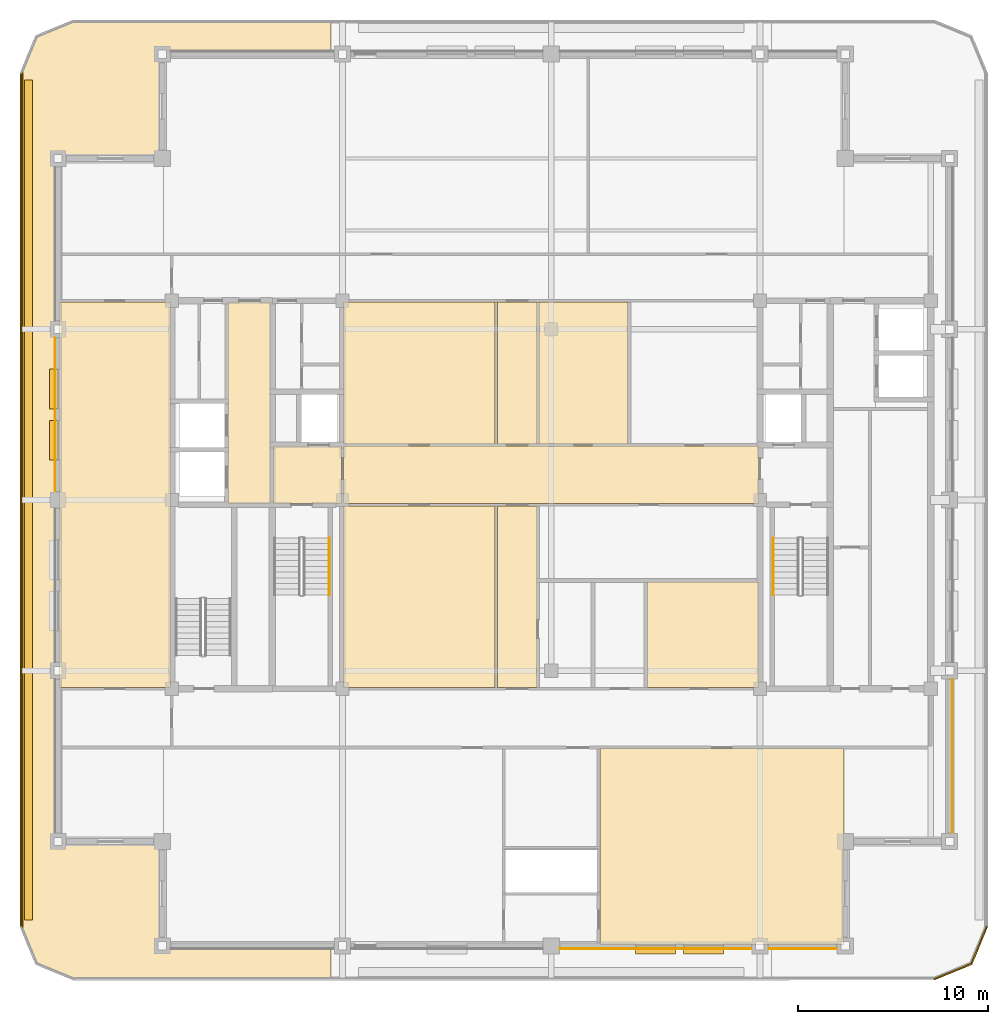
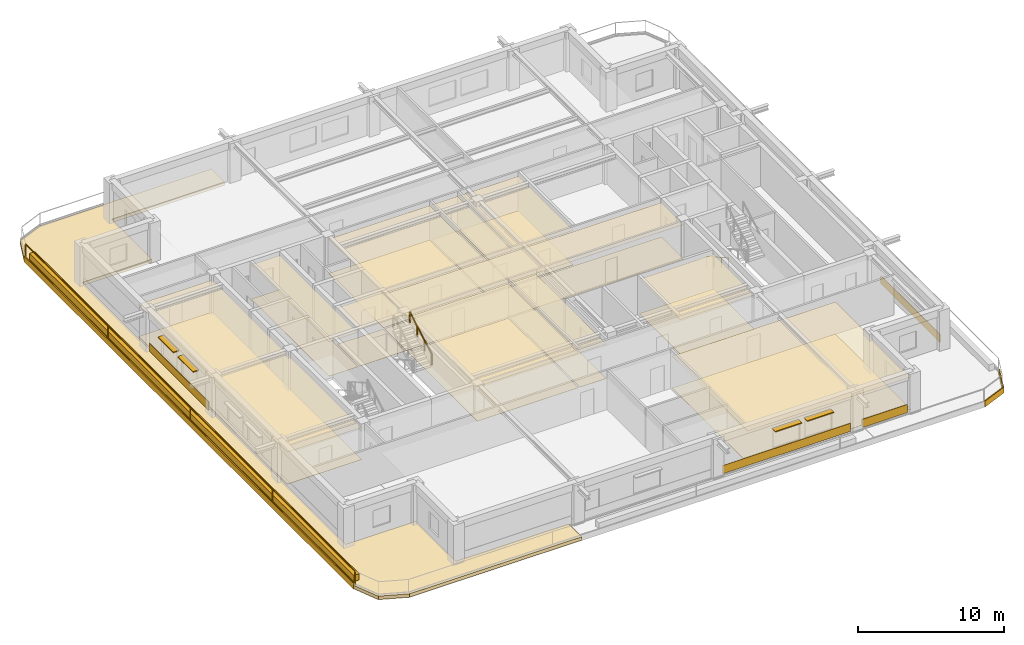
# One storey, part 9 of 11: 31 coverings, 4 shading devices, 3 railings.
"""IFC4 building model written with IfcOpenShell, lengths in metres."""

from ifc_helpers import new_model, si_unit, direction, frame, frame_2d, origin, origin_2d, place, context, subcontext, project, spatial, polyline, rectangle, outline, extrude, material, layer, layer_set, type_object, element, save


model = new_model("IFC4")

# Units and contexts
model_context = context("Model", 3, precision=1e-05, world=origin(), true_north=direction((0.0, 1.0)))
body_context = subcontext(model_context, "Body", "Model", "MODEL_VIEW")
ifc_project = project(units=[si_unit("LENGTHUNIT", "METRE"), si_unit("AREAUNIT", "SQUARE_METRE"), si_unit("VOLUMEUNIT", "CUBIC_METRE"), si_unit("PLANEANGLEUNIT", "RADIAN"), si_unit("MASSUNIT", "GRAM", prefix="KILO")], contexts=[model_context])

# Site, building, storey
site_placement = place(None, origin())
site = spatial("IfcSite", under=ifc_project, at=site_placement, CompositionType="ELEMENT")
building_placement = place(site_placement, origin())
building = spatial("IfcBuilding", under=site, at=building_placement, Name="Zulmaris Gate Convention Tower", CompositionType="ELEMENT")
storey_placement = place(building_placement, frame((0.0, 0.0, 274.320068359375)))
storey = spatial("IfcBuildingStorey", under=building, at=storey_placement, Name="L73", CompositionType="ELEMENT", Elevation=274.320068359375)

# Coverings
ifc_material_1 = material(Name="Precast concrete C40/50", Category="concrete")
ifc_layer_1 = layer(ifc_material_1, 0.0400390625, Name="Precast concrete C40/50")
ifc_layer_set_1 = layer_set([ifc_layer_1], Name="Precast concrete C40/50")
covering_type_1 = type_object("IfcCoveringType", Name="CLAD-SPANDREL-PRECAST", PredefinedType="CLADDING", material=ifc_layer_set_1)
covering_1_placement = place(storey_placement, frame((0.455078125, -23.64990234375, 0.0), z_axis=(0.0, 0.0, 1.0), x_axis=(1.0, 0.0, 0.0)))
element("IfcCovering", 1, at=covering_1_placement, inside=storey, type_object=covering_type_1, Name="CLD-L73-S-2_0", PredefinedType="CLADDING", context=body_context, shape_type="SweptSolid", body=[
    extrude(rectangle(XDim=10.08984375, YDim=0.0400390625, at=frame_2d((5.044921875, 0.0))), origin(), (0.0, 0.0, 1.0), 0.679931640625),
])
covering_2_placement = place(storey_placement, frame((11.455078125, -23.64990234375, 0.0), z_axis=(0.0, 0.0, 1.0), x_axis=(1.0, 0.0, 0.0)))
element("IfcCovering", 2, at=covering_2_placement, inside=storey, type_object=covering_type_1, Name="CLD-L73-S-3_0", PredefinedType="CLADDING", context=body_context, shape_type="SweptSolid", body=[
    extrude(rectangle(XDim=3.58984375, YDim=0.0400390625, at=frame_2d((1.794921875, 0.0))), origin(), (0.0, 0.0, 1.0), 0.679931640625),
])
for number, where, z_axis, x_axis, name in (
    (3, (21.14990234375, -17.544921875, 0.0), (0.0, 0.0, 1.0), (0.0, 1.0, 0.0), "CLD-L73-E-0_0"),
    (4, (-26.14990234375, 8.544921875, 0.0), (0.0, 0.0, 1.0), (0.0, -1.0, 0.0), "CLD-L73-W-2_0"),
):
    element("IfcCovering", number, at=place(storey_placement, frame(where, z_axis=z_axis, x_axis=x_axis)), inside=storey, type_object=covering_type_1, Name=name, PredefinedType="CLADDING", context=body_context, shape_type="SweptSolid", body=[
        extrude(rectangle(XDim=8.08984375, YDim=0.0400390625, at=frame_2d((4.044921875, 0.0))), origin(), (0.0, 0.0, 1.0), 0.679931640625),
    ])
ifc_material_2 = material(Name="White Glazed Architectural Precast Concrete C40/50", Category="concrete")
ifc_layer_2 = layer(ifc_material_2, 0.239990234375, Name="White Glazed Architectural Precast Concrete C40/50")
ifc_layer_set_2 = layer_set([ifc_layer_2], Name="White Glazed Architectural Precast Concrete C40/50")
covering_type_2 = type_object("IfcCoveringType", Name="CLAD-TRAY-DECK", PredefinedType="CLADDING", material=ifc_layer_set_2)
covering_3_placement = place(storey_placement, frame((0.0, 0.0, -0.324951171875)))
element("IfcCovering", 5, at=covering_3_placement, inside=storey, type_object=covering_type_2, Name="L73 West Rounded-Fascia Planter Tray Deck", PredefinedType="CLADDING", context=body_context, shape_type="SweptSolid", body=[
    extrude(outline(polyline([(-28.0, 22.5), (-27.179931640625, 24.47998046875), (-25.199951171875, 25.300048828125), (-11.60205078125, 25.300048828125), (-11.60205078125, 23.5), (-20.5, 23.5), (-20.5, 18.0), (-26.0, 18.0), (-26.0, -18.0), (-20.5, -18.0), (-20.5, -23.5), (-11.60205078125, -23.5), (-11.60205078125, -25.300048828125), (-25.199951171875, -25.300048828125), (-27.179931640625, -24.47998046875), (-28.0, -22.5), (-28.0, 22.5)])), origin(), (0.0, 0.0, 1.0), 0.284912109375),
])
ifc_layer_3 = layer(ifc_material_2, 0.080078125, Name="White Glazed Architectural Precast Concrete C40/50")
ifc_layer_set_3 = layer_set([ifc_layer_3], Name="White Glazed Architectural Precast Concrete C40/50")
covering_type_3 = type_object("IfcCoveringType", Name="CLAD-TRAY-FASCIA", PredefinedType="CLADDING", material=ifc_layer_set_3)
covering_4_placement = place(storey_placement, frame((20.184814453125, -25.262939453125, -0.364990234375), z_axis=(0.0, 0.0, 1.0), x_axis=(0.923873803533, 0.382697263049, 0.0)))
element("IfcCovering", 6, at=covering_4_placement, inside=storey, type_object=covering_type_3, Name="FSC-L73-TR-03", PredefinedType="CLADDING", context=body_context, shape_type="SweptSolid", body=[
    extrude(rectangle(XDim=2.142822265625, YDim=0.080078125, at=frame_2d((1.0712890625, 0.0))), origin(), (0.0, 0.0, 1.0), 0.485107421875),
])
covering_5_placement = place(storey_placement, frame((22.142822265625, -24.464599609375, -0.364990234375), z_axis=(0.0, 0.0, 1.0), x_axis=(0.382656984709, 0.923890487046, 0.0)))
element("IfcCovering", 7, at=covering_5_placement, inside=storey, type_object=covering_type_3, Name="FSC-L73-TR-04", PredefinedType="CLADDING", context=body_context, shape_type="SweptSolid", body=[
    extrude(rectangle(XDim=2.14306640625, YDim=0.080078125, at=frame_2d((1.071533203125, 0.0))), origin(), (0.0, 0.0, 1.0), 0.485107421875),
])
covering_6_placement = place(storey_placement, frame((-27.9599609375, 22.5, -0.364990234375), z_axis=(0.0, 0.0, 1.0), x_axis=(0.0, -1.0, 0.0)))
element("IfcCovering", 8, at=covering_6_placement, inside=storey, type_object=covering_type_3, Name="FSC-L73-TR-11", PredefinedType="CLADDING", context=body_context, shape_type="SweptSolid", body=[
    extrude(rectangle(XDim=45.0, YDim=0.080078125, at=frame_2d((22.5, 0.0))), origin(), (0.0, 0.0, 1.0), 0.485107421875),
])
ifc_material_3 = material(Name="Mineral Fibre Acoustic Ceiling Tile")
ifc_layer_4 = layer(ifc_material_3, 0.02001953125, Name="Mineral Fibre Acoustic Ceiling Tile")
ifc_layer_set_4 = layer_set([ifc_layer_4], Name="Mineral Fibre Acoustic Ceiling Tile")
covering_type_4 = type_object("IfcCoveringType", Name="CLG-ACOUSTIC-600", PredefinedType="CEILING", material=ifc_layer_set_4)
covering_7_placement = place(storey_placement, frame((0.0, 0.0, 3.034912109375)))
element("IfcCovering", 9, at=covering_7_placement, inside=storey, type_object=covering_type_4, Name="CLG-L73-R03", PredefinedType="CEILING", context=body_context, shape_type="SweptSolid", body=[
    extrude(outline(polyline([(-14.639892578125, -0.18994140625), (-11.06005859375, -0.18994140625), (-11.06005859375, 2.840087890625), (-14.639892578125, 2.840087890625), (-14.639892578125, -0.18994140625)])), origin(), (0.0, 0.0, 1.0), 0.02001953125),
])
covering_8_placement = place(storey_placement, frame((0.0, 0.0, 2.873046875)))
element("IfcCovering", 10, at=covering_8_placement, inside=storey, type_object=covering_type_4, Name="CLG-L73-R21", PredefinedType="CEILING", context=body_context, shape_type="SweptSolid", body=[
    extrude(outline(polyline([(-17.0400390625, -0.18994140625), (-14.760009765625, -0.18994140625), (-14.760009765625, 10.43994140625), (-17.0400390625, 10.43994140625), (-17.0400390625, -0.18994140625)])), origin(), (0.0, 0.0, 1.0), 0.02001953125),
])
covering_9_placement = place(storey_placement, frame((0.0, 0.0, 2.873046875)))
element("IfcCovering", 11, at=covering_9_placement, inside=storey, type_object=covering_type_4, Name="CLG-L73-R34", PredefinedType="CEILING", context=body_context, shape_type="SweptSolid", body=[
    extrude(outline(polyline([(-10.93994140625, -0.18994140625), (10.93994140625, -0.18994140625), (10.93994140625, 2.840087890625), (-10.93994140625, 2.840087890625), (-10.93994140625, -0.18994140625)])), origin(), (0.0, 0.0, 1.0), 0.02001953125),
])
covering_10_placement = place(storey_placement, frame((0.0, 0.0, 2.873046875)))
element("IfcCovering", 12, at=covering_10_placement, inside=storey, type_object=covering_type_4, Name="CLG-L73-R35", PredefinedType="CEILING", context=body_context, shape_type="SweptSolid", body=[
    extrude(outline(polyline([(-2.840087890625, 2.9599609375), (-0.760009765625, 2.9599609375), (-0.760009765625, 10.43994140625), (-2.840087890625, 10.43994140625), (-2.840087890625, 2.9599609375)])), origin(), (0.0, 0.0, 1.0), 0.02001953125),
])
covering_11_placement = place(storey_placement, frame((0.0, 0.0, 2.873046875)))
element("IfcCovering", 13, at=covering_11_placement, inside=storey, type_object=covering_type_4, Name="CLG-L73-R36", PredefinedType="CEILING", context=body_context, shape_type="SweptSolid", body=[
    extrude(outline(polyline([(-2.840087890625, -9.889892578125), (-0.760009765625, -9.889892578125), (-0.760009765625, -0.31005859375), (-2.840087890625, -0.31005859375), (-2.840087890625, -9.889892578125)])), origin(), (0.0, 0.0, 1.0), 0.02001953125),
])
covering_12_placement = place(storey_placement, frame((0.0, 0.0, 2.675048828125)))
element("IfcCovering", 14, at=covering_12_placement, inside=storey, type_object=covering_type_4, Name="CLG-L73-R42", PredefinedType="CEILING", context=body_context, shape_type="SweptSolid", body=[
    extrude(outline(polyline([(2.56005859375, -23.43994140625), (15.43994140625, -23.43994140625), (15.43994140625, -13.110107421875), (2.56005859375, -13.110107421875), (2.56005859375, -23.43994140625)])), origin(), (0.0, 0.0, 1.0), 0.02001953125),
])
covering_13_placement = place(storey_placement, frame((0.0, 0.0, 2.873046875)))
element("IfcCovering", 15, at=covering_13_placement, inside=storey, type_object=covering_type_4, Name="CLG-L73-R43", PredefinedType="CEILING", context=body_context, shape_type="SweptSolid", body=[
    extrude(outline(polyline([(-10.93994140625, 2.9599609375), (-2.9599609375, 2.9599609375), (-2.9599609375, 10.43994140625), (-10.93994140625, 10.43994140625), (-10.93994140625, 2.9599609375)])), origin(), (0.0, 0.0, 1.0), 0.02001953125),
])
covering_14_placement = place(storey_placement, frame((0.0, 0.0, 2.873046875)))
element("IfcCovering", 16, at=covering_14_placement, inside=storey, type_object=covering_type_4, Name="CLG-L73-R44", PredefinedType="CEILING", context=body_context, shape_type="SweptSolid", body=[
    extrude(outline(polyline([(-0.639892578125, 2.9599609375), (4.0400390625, 2.9599609375), (4.0400390625, 10.43994140625), (-0.639892578125, 10.43994140625), (-0.639892578125, 2.9599609375)])), origin(), (0.0, 0.0, 1.0), 0.02001953125),
])
covering_15_placement = place(storey_placement, frame((0.0, 0.0, 2.873046875)))
element("IfcCovering", 17, at=covering_15_placement, inside=storey, type_object=covering_type_4, Name="CLG-L73-R46", PredefinedType="CEILING", context=body_context, shape_type="SweptSolid", body=[
    extrude(outline(polyline([(-10.93994140625, -9.889892578125), (-2.9599609375, -9.889892578125), (-2.9599609375, -0.31005859375), (-10.93994140625, -0.31005859375), (-10.93994140625, -9.889892578125)])), origin(), (0.0, 0.0, 1.0), 0.02001953125),
])
covering_16_placement = place(storey_placement, frame((0.0, 0.0, 2.873046875)))
element("IfcCovering", 18, at=covering_16_placement, inside=storey, type_object=covering_type_4, Name="CLG-L73-R50", PredefinedType="CEILING", context=body_context, shape_type="SweptSolid", body=[
    extrude(outline(polyline([(5.06005859375, -9.889892578125), (10.93994140625, -9.889892578125), (10.93994140625, -4.31005859375), (5.06005859375, -4.31005859375), (5.06005859375, -9.889892578125)])), origin(), (0.0, 0.0, 1.0), 0.02001953125),
])
covering_17_placement = place(storey_placement, frame((0.0, 0.0, 2.675048828125)))
element("IfcCovering", 19, at=covering_17_placement, inside=storey, type_object=covering_type_4, Name="CLG-L73-R53", PredefinedType="CEILING", context=body_context, shape_type="SweptSolid", body=[
    extrude(outline(polyline([(-25.93994140625, -9.889892578125), (-20.06005859375, -9.889892578125), (-20.06005859375, 10.43994140625), (-25.93994140625, 10.43994140625), (-25.93994140625, -9.889892578125)])), origin(), (0.0, 0.0, 1.0), 0.02001953125),
])
ifc_material_4 = material(Name="Woven Acoustic Wool Carpet Tile")
ifc_layer_5 = layer(ifc_material_4, 0.02001953125, Name="Woven Acoustic Wool Carpet Tile")
ifc_layer_set_5 = layer_set([ifc_layer_5], Name="Woven Acoustic Wool Carpet Tile")
covering_type_5 = type_object("IfcCoveringType", Name="FLR-CARPET-12", PredefinedType="FLOORING", material=ifc_layer_set_5)
covering_18_placement = place(storey_placement, origin())
element("IfcCovering", 20, at=covering_18_placement, inside=storey, type_object=covering_type_5, Name="FLR-L73-R03", PredefinedType="FLOORING", context=body_context, shape_type="SweptSolid", body=[
    extrude(outline(polyline([(-14.639892578125, -0.18994140625), (-11.06005859375, -0.18994140625), (-11.06005859375, 2.840087890625), (-14.639892578125, 2.840087890625), (-14.639892578125, -0.18994140625)])), origin(), (0.0, 0.0, 1.0), 0.02001953125),
])
covering_19_placement = place(storey_placement, origin())
element("IfcCovering", 21, at=covering_19_placement, inside=storey, type_object=covering_type_5, Name="FLR-L73-R21", PredefinedType="FLOORING", context=body_context, shape_type="SweptSolid", body=[
    extrude(outline(polyline([(-17.0400390625, -0.18994140625), (-14.760009765625, -0.18994140625), (-14.760009765625, 10.43994140625), (-17.0400390625, 10.43994140625), (-17.0400390625, -0.18994140625)])), origin(), (0.0, 0.0, 1.0), 0.02001953125),
])
covering_20_placement = place(storey_placement, origin())
element("IfcCovering", 22, at=covering_20_placement, inside=storey, type_object=covering_type_5, Name="FLR-L73-R34", PredefinedType="FLOORING", context=body_context, shape_type="SweptSolid", body=[
    extrude(outline(polyline([(-10.93994140625, -0.18994140625), (10.93994140625, -0.18994140625), (10.93994140625, 2.840087890625), (-10.93994140625, 2.840087890625), (-10.93994140625, -0.18994140625)])), origin(), (0.0, 0.0, 1.0), 0.02001953125),
])
covering_21_placement = place(storey_placement, origin())
element("IfcCovering", 23, at=covering_21_placement, inside=storey, type_object=covering_type_5, Name="FLR-L73-R35", PredefinedType="FLOORING", context=body_context, shape_type="SweptSolid", body=[
    extrude(outline(polyline([(-2.840087890625, 2.9599609375), (-0.760009765625, 2.9599609375), (-0.760009765625, 10.43994140625), (-2.840087890625, 10.43994140625), (-2.840087890625, 2.9599609375)])), origin(), (0.0, 0.0, 1.0), 0.02001953125),
])
covering_22_placement = place(storey_placement, origin())
element("IfcCovering", 24, at=covering_22_placement, inside=storey, type_object=covering_type_5, Name="FLR-L73-R36", PredefinedType="FLOORING", context=body_context, shape_type="SweptSolid", body=[
    extrude(outline(polyline([(-2.840087890625, -9.889892578125), (-0.760009765625, -9.889892578125), (-0.760009765625, -0.31005859375), (-2.840087890625, -0.31005859375), (-2.840087890625, -9.889892578125)])), origin(), (0.0, 0.0, 1.0), 0.02001953125),
])
covering_23_placement = place(storey_placement, origin())
element("IfcCovering", 25, at=covering_23_placement, inside=storey, type_object=covering_type_5, Name="FLR-L73-R42", PredefinedType="FLOORING", context=body_context, shape_type="SweptSolid", body=[
    extrude(outline(polyline([(2.56005859375, -23.43994140625), (15.43994140625, -23.43994140625), (15.43994140625, -13.110107421875), (2.56005859375, -13.110107421875), (2.56005859375, -23.43994140625)])), origin(), (0.0, 0.0, 1.0), 0.02001953125),
])
covering_24_placement = place(storey_placement, origin())
element("IfcCovering", 26, at=covering_24_placement, inside=storey, type_object=covering_type_5, Name="FLR-L73-R46", PredefinedType="FLOORING", context=body_context, shape_type="SweptSolid", body=[
    extrude(outline(polyline([(-10.93994140625, -9.889892578125), (-2.9599609375, -9.889892578125), (-2.9599609375, -0.31005859375), (-10.93994140625, -0.31005859375), (-10.93994140625, -9.889892578125)])), origin(), (0.0, 0.0, 1.0), 0.02001953125),
])
covering_25_placement = place(storey_placement, origin())
element("IfcCovering", 27, at=covering_25_placement, inside=storey, type_object=covering_type_5, Name="FLR-L73-R50", PredefinedType="FLOORING", context=body_context, shape_type="SweptSolid", body=[
    extrude(outline(polyline([(5.06005859375, -9.889892578125), (10.93994140625, -9.889892578125), (10.93994140625, -4.31005859375), (5.06005859375, -4.31005859375), (5.06005859375, -9.889892578125)])), origin(), (0.0, 0.0, 1.0), 0.02001953125),
])
covering_26_placement = place(storey_placement, origin())
element("IfcCovering", 28, at=covering_26_placement, inside=storey, type_object=covering_type_5, Name="FLR-L73-R53", PredefinedType="FLOORING", context=body_context, shape_type="SweptSolid", body=[
    extrude(outline(polyline([(-25.93994140625, -9.889892578125), (-20.06005859375, -9.889892578125), (-20.06005859375, 10.43994140625), (-25.93994140625, 10.43994140625), (-25.93994140625, -9.889892578125)])), origin(), (0.0, 0.0, 1.0), 0.02001953125),
])
ifc_material_5 = material(Name="Polished Granite Terrazzo Tile", Category="masonry")
ifc_layer_6 = layer(ifc_material_5, 0.02001953125, Name="Polished Granite Terrazzo Tile")
ifc_layer_set_6 = layer_set([ifc_layer_6], Name="Polished Granite Terrazzo Tile")
covering_type_6 = type_object("IfcCoveringType", Name="FLR-TERRAZZO-30", PredefinedType="FLOORING", material=ifc_layer_set_6)
covering_27_placement = place(storey_placement, origin())
element("IfcCovering", 29, at=covering_27_placement, inside=storey, type_object=covering_type_6, Name="FLR-L73-R43", PredefinedType="FLOORING", context=body_context, shape_type="SweptSolid", body=[
    extrude(outline(polyline([(-10.93994140625, 2.9599609375), (-2.9599609375, 2.9599609375), (-2.9599609375, 10.43994140625), (-10.93994140625, 10.43994140625), (-10.93994140625, 2.9599609375)])), origin(), (0.0, 0.0, 1.0), 0.02001953125),
])
ifc_material_6 = material(Name="Engineered Teak Parquet Flooring")
ifc_layer_7 = layer(ifc_material_6, 0.02001953125, Name="Engineered Teak Parquet Flooring")
ifc_layer_set_7 = layer_set([ifc_layer_7], Name="Engineered Teak Parquet Flooring")
covering_type_7 = type_object("IfcCoveringType", Name="FLR-TIMBER-18", PredefinedType="FLOORING", material=ifc_layer_set_7)
covering_28_placement = place(storey_placement, origin())
element("IfcCovering", 30, at=covering_28_placement, inside=storey, type_object=covering_type_7, Name="FLR-L73-R44", PredefinedType="FLOORING", context=body_context, shape_type="SweptSolid", body=[
    extrude(outline(polyline([(-0.639892578125, 2.9599609375), (4.0400390625, 2.9599609375), (4.0400390625, 10.43994140625), (-0.639892578125, 10.43994140625), (-0.639892578125, 2.9599609375)])), origin(), (0.0, 0.0, 1.0), 0.02001953125),
])
ifc_material_7 = material(Name="Botanical Green Glazed Precast Concrete C40/50", Category="concrete")
ifc_layer_8 = layer(ifc_material_7, 0.419921875, Name="Botanical Green Glazed Precast Concrete C40/50")
ifc_layer_set_8 = layer_set([ifc_layer_8], Name="Botanical Green Glazed Precast Concrete C40/50")
covering_type_8 = type_object("IfcCoveringType", Name="PLANTER-BOX-200", PredefinedType="CLADDING", material=ifc_layer_set_8)
covering_29_placement = place(storey_placement, frame((0.0, 0.0, -0.0400390625)))
element("IfcCovering", 31, at=covering_29_placement, inside=storey, type_object=covering_type_8, Name="L73 W Full-Length Balcony Tree Planter Trough", PredefinedType="CLADDING", context=body_context, shape_type="SweptSolid", body=[
    extrude(outline(polyline([(-27.760009765625, -22.14990234375), (-27.340087890625, -22.14990234375), (-27.340087890625, 22.14990234375), (-27.760009765625, 22.14990234375), (-27.760009765625, -22.14990234375)])), origin(), (0.0, 0.0, 1.0), 0.52001953125),
])

# Railings
ifc_material_8 = material(Name="Laminated Glass and Stainless Steel", Category="steel")
railing_type_1 = type_object("IfcRailingType", Name="RL-BALC-1150", PredefinedType="BALUSTRADE", material=ifc_material_8)
railing_1_placement = place(storey_placement, frame((-27.8798828125, 22.5, -0.0400390625)))
element("IfcRailing", 32, at=railing_1_placement, inside=storey, type_object=railing_type_1, Name="RL-L73-BALC-W", PredefinedType="BALUSTRADE", context=body_context, shape_type="SweptSolid", body=[
    extrude(rectangle(XDim=0.048095703125, YDim=0.048095703125, at=origin_2d()), frame((0.0, 0.0, 1.1259765625), z_axis=(0.0, -1.0, 0.0), x_axis=(1.0, 0.0, 0.0)), (0.0, 0.0, 1.0), 45.0),
    extrude(rectangle(XDim=0.048095703125, YDim=0.048095703125, at=origin_2d()), frame((0.0, 0.0, 0.02392578125), z_axis=(0.0, -1.0, 0.0), x_axis=(1.0, 0.0, 0.0)), (0.0, 0.0, 1.0), 45.0),
    extrude(rectangle(XDim=0.0419921875, YDim=0.0419921875, at=origin_2d()), origin(), (0.0, 0.0, 1.0), 1.101806640625),
    extrude(rectangle(XDim=0.0419921875, YDim=0.0419921875, at=origin_2d()), frame((0.0, -11.25, 0.0)), (0.0, 0.0, 1.0), 1.101806640625),
    extrude(rectangle(XDim=0.0419921875, YDim=0.0419921875, at=origin_2d()), frame((0.0, -22.5, 0.0)), (0.0, 0.0, 1.0), 1.101806640625),
    extrude(rectangle(XDim=0.0419921875, YDim=0.0419921875, at=origin_2d()), frame((0.0, -33.75, 0.0)), (0.0, 0.0, 1.0), 1.101806640625),
    extrude(rectangle(XDim=0.0419921875, YDim=0.0419921875, at=origin_2d()), frame((0.0, -45.0, 0.0)), (0.0, 0.0, 1.0), 1.101806640625),
])
ifc_material_9 = material(Name="Brushed Stainless Steel", Category="steel")
railing_type_2 = type_object("IfcRailingType", Name="RL-STH-900", PredefinedType="HANDRAIL", material=ifc_material_9)
railing_2_placement = place(storey_placement, frame((-11.7099609375, -5.0, 2.0400390625)))
element("IfcRailing", 33, at=railing_2_placement, inside=storey, type_object=railing_type_2, Name="L73 ST-1 stair handrail 2", PredefinedType="HANDRAIL", context=body_context, shape_type="SweptSolid", body=[
    extrude(rectangle(XDim=0.048095703125, YDim=0.048095703125, at=origin_2d()), frame((0.0, 0.0, 0.8759765625), z_axis=(0.0, 0.870028259722, 0.493001853226), x_axis=(-1.0, 0.0, 0.0)), (0.0, 0.0, 1.0), 3.4482421875),
    extrude(rectangle(XDim=0.0419921875, YDim=0.0419921875, at=origin_2d()), origin(), (0.0, 0.0, 1.0), 0.851806640625),
    extrude(rectangle(XDim=0.0419921875, YDim=0.0419921875, at=origin_2d()), frame((0.0, 1.0, 0.566650390625)), (0.0, 0.0, 1.0), 0.851806640625),
    extrude(rectangle(XDim=0.0419921875, YDim=0.0419921875, at=origin_2d()), frame((0.0, 2.0, 1.13330078125)), (0.0, 0.0, 1.0), 0.851806640625),
    extrude(rectangle(XDim=0.0419921875, YDim=0.0419921875, at=origin_2d()), frame((0.0, 3.0, 1.699951171875)), (0.0, 0.0, 1.0), 0.851806640625),
])
railing_3_placement = place(storey_placement, frame((11.7099609375, -2.0, 0.169921875)))
element("IfcRailing", 34, at=railing_3_placement, inside=storey, type_object=railing_type_2, Name="L73 ST-2 stair handrail 1", PredefinedType="HANDRAIL", context=body_context, shape_type="SweptSolid", body=[
    extrude(rectangle(XDim=0.048095703125, YDim=0.048095703125, at=origin_2d()), frame((0.0, 0.0, 0.8759765625), z_axis=(0.0, -0.869997889882, 0.493055444754), x_axis=(1.0, 0.0, 0.0)), (0.0, 0.0, 1.0), 3.4482421875),
    extrude(rectangle(XDim=0.0419921875, YDim=0.0419921875, at=origin_2d()), origin(), (0.0, 0.0, 1.0), 0.851806640625),
    extrude(rectangle(XDim=0.0419921875, YDim=0.0419921875, at=origin_2d()), frame((0.0, -1.0, 0.566650390625)), (0.0, 0.0, 1.0), 0.851806640625),
    extrude(rectangle(XDim=0.0419921875, YDim=0.0419921875, at=origin_2d()), frame((0.0, -2.0, 1.133544921875)), (0.0, 0.0, 1.0), 0.851806640625),
    extrude(rectangle(XDim=0.0419921875, YDim=0.0419921875, at=origin_2d()), frame((0.0, -3.0, 1.7001953125)), (0.0, 0.0, 1.0), 0.851806640625),
])

# Shading devices
ifc_material_10 = material(Name="Glazed Ceramic Terracotta", Category="masonry")
ifc_layer_9 = layer(ifc_material_10, 0.070068359375, Name="Glazed Ceramic Terracotta")
ifc_layer_set_9 = layer_set([ifc_layer_9], Name="Glazed Ceramic Terracotta")
shading_device_type = type_object("IfcShadingDeviceType", Name="SHD-SUNSHADE-TC", PredefinedType="AWNING", material=ifc_layer_set_9)
for number, where, z_axis, x_axis, name in (
    (35, (4.449951171875, -23.719970703125, 2.22998046875), (0.0, 0.0, 1.0), (1.0, 0.0, 0.0), "SHD-EW-L73-S-2_0-2"),
    (36, (6.972900390625, -23.719970703125, 2.22998046875), (0.0, 0.0, 1.0), (1.0, 0.0, 0.0), "SHD-EW-L73-S-2_0-3"),
):
    element("IfcShadingDevice", number, at=place(storey_placement, frame(where, z_axis=z_axis, x_axis=x_axis)), inside=storey, type_object=shading_device_type, Name=name, PredefinedType="AWNING", context=body_context, shape_type="SweptSolid", body=[
        extrude(rectangle(XDim=2.10009765625, YDim=0.43994140625, at=frame_2d((1.050048828125, 0.0))), origin(), (0.0, 0.0, 1.0), 0.070068359375),
    ])
for number, where, z_axis, x_axis, name in (
    (37, (-26.219970703125, 6.89794921875, 2.22998046875), (0.0, 0.0, 1.0), (0.0, -1.0, 0.0), "SHD-EW-L73-W-2_0-1"),
    (38, (-26.219970703125, 4.201904296875, 2.22998046875), (0.0, 0.0, 1.0), (0.0, -1.0, 0.0), "SHD-EW-L73-W-2_0-2"),
):
    element("IfcShadingDevice", number, at=place(storey_placement, frame(where, z_axis=z_axis, x_axis=x_axis)), inside=storey, type_object=shading_device_type, Name=name, PredefinedType="AWNING", context=body_context, shape_type="SweptSolid", body=[
        extrude(rectangle(XDim=2.099853515625, YDim=0.43994140625, at=frame_2d((1.0498046875, 0.0))), origin(), (0.0, 0.0, 1.0), 0.070068359375),
    ])

save(model, "model.ifc")
